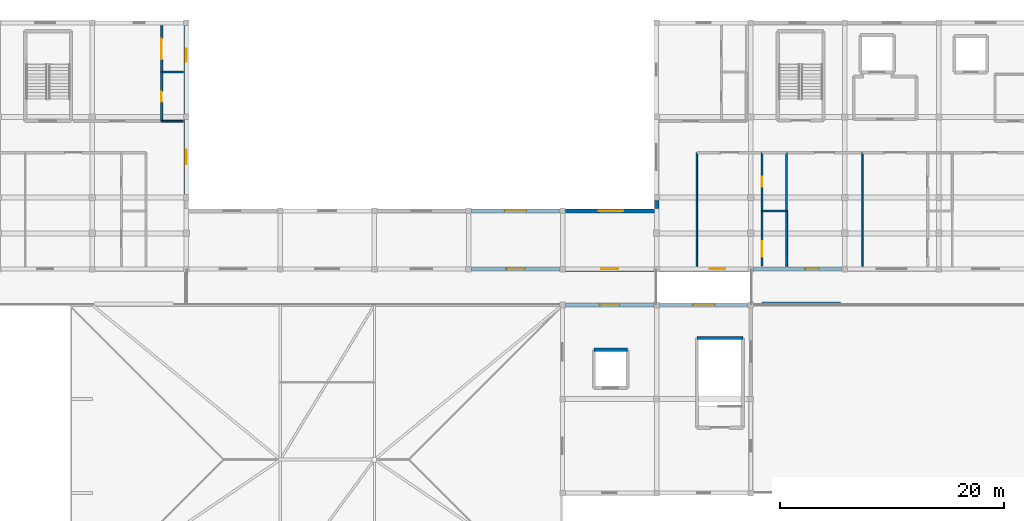
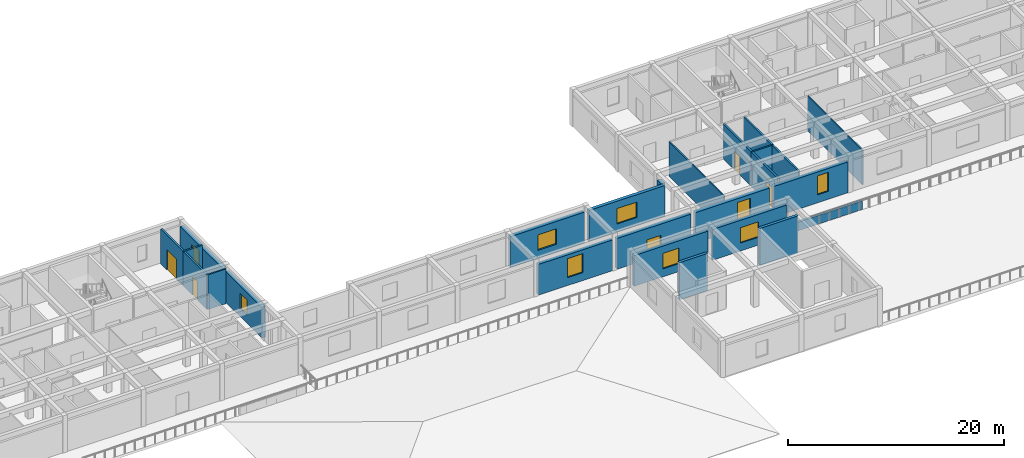
# One storey, part 13 of 28: 25 walls, 9 windows, 5 doors, 14 openings.
"""IFC4 building model written with IfcOpenShell, lengths in metres."""

from ifc_helpers import new_model, si_unit, direction, frame, frame_2d, origin, place, context, subcontext, project, spatial, rectangle, extrude, material, layer, layer_set, type_object, element, fill, save


model = new_model("IFC4")

# Units and contexts
model_context = context("Model", 3, precision=1e-05, world=origin(), true_north=direction((0.0, 1.0)))
body_context = subcontext(model_context, "Body", "Model", "MODEL_VIEW")
ifc_project = project(units=[si_unit("LENGTHUNIT", "METRE"), si_unit("AREAUNIT", "SQUARE_METRE"), si_unit("VOLUMEUNIT", "CUBIC_METRE"), si_unit("PLANEANGLEUNIT", "RADIAN"), si_unit("MASSUNIT", "GRAM", prefix="KILO")], contexts=[model_context])

# Site, building, storey
site_placement = place(None, origin())
site = spatial("IfcSite", under=ifc_project, at=site_placement, CompositionType="ELEMENT")
building_placement = place(site_placement, origin())
building = spatial("IfcBuilding", under=site, at=building_placement, Name="Varncliffe General Hospital", CompositionType="ELEMENT")
storey_placement = place(building_placement, frame((0.0, 0.0, 24.60009765625)))
storey = spatial("IfcBuildingStorey", under=building, at=storey_placement, Name="L05", CompositionType="ELEMENT", Elevation=24.60009765625)

# Wall, opening, window
ifc_material_1 = material(Name="Precast concrete C40/50 with insulated cream lime-cement stucco", Category="concrete")
ifc_layer_1 = layer(ifc_material_1, 0.31005859375)
ifc_layer_set_1 = layer_set([ifc_layer_1], Name="Precast concrete C40/50 with insulated cream lime-cement stucco")
wall_type_1 = type_object("IfcWallType", Name="Exterior Insulated Stucco Wall EW20 (310mm)", PredefinedType="SOLIDWALL", material=ifc_layer_set_1)
wall_1_placement = place(storey_placement, frame((109.447998046875, 99.60009765625, 0.0), z_axis=(0.0, 0.0, 1.0), x_axis=(1.0, 0.0, 0.0)))
wall_1 = element("IfcWall", 1, at=wall_1_placement, inside=storey, type_object=wall_type_1, Name="L05 Exterior Stucco Wall EW20-480", PredefinedType="SOLIDWALL", context=body_context, shape_type="SweptSolid", body=[
    extrude(rectangle(XDim=7.904052734375, YDim=0.31005859375, at=frame_2d((3.9521484375, 0.0))), origin(), (0.0, 0.0, 1.0), 3.47998046875),
])
opening_1_placement = place(wall_1_placement, frame((2.97705078125, 0.0, 0.89990234375)))
opening_1 = element("IfcOpeningElement", 2, at=opening_1_placement, cuts=wall_1, Name="Opening WN71", PredefinedType="OPENING", context=body_context, shape_type="SweptSolid", body=[
    extrude(rectangle(XDim=1.949951171875, YDim=1.75, at=frame_2d((0.97509765625, 0.875))), frame((0.0, 0.1650390625, 0.0), z_axis=(0.0, -1.0, 0.0), x_axis=(1.0, 0.0, 0.0)), (0.0, 0.0, 1.0), 0.330078125),
])
ifc_material_2 = material(Name="Triple low-E argon insulated vision glazing", Category="glass")
window_type_1 = type_object("IfcWindowType", Name="Triple-Glazed Hospital Window WN71 (1950x1750)", PartitioningType="DOUBLE_PANEL_VERTICAL", PredefinedType="WINDOW", material=ifc_material_2)
window_1_placement = place(opening_1_placement, origin())
window_1 = element("IfcWindow", 3, at=window_1_placement, inside=storey, type_object=window_type_1, Name="L05 Hospital Window WN71-373", OverallHeight=1.75, OverallWidth=1.949951171875, PartitioningType="DOUBLE_PANEL_VERTICAL", PredefinedType="WINDOW", context=body_context, shape_type="SweptSolid", body=[
    extrude(rectangle(XDim=1.949951171875, YDim=1.75, at=frame_2d((0.97509765625, 0.875))), frame((0.0, 0.030029296875, 0.0), z_axis=(0.0, -1.0, 0.0), x_axis=(1.0, 0.0, 0.0)), (0.0, 0.0, 1.0), 0.06005859375),
])
fill(opening_1, window_1)

# Wall, opening, door
ifc_layer_2 = layer(ifc_material_1, 0.3798828125)
ifc_layer_set_2 = layer_set([ifc_layer_2], Name="Precast concrete C40/50 with insulated cream lime-cement stucco")
wall_type_2 = type_object("IfcWallType", Name="Exterior Insulated Stucco Wall EW26 (380mm)", PredefinedType="SOLIDWALL", material=ifc_layer_set_2)
wall_2_placement = place(storey_placement, frame((108.951904296875, 102.800048828125, 0.0), z_axis=(0.0, 0.0, 1.0), x_axis=(-1.0, 0.0, 0.0)))
wall_2 = element("IfcWall", 4, at=wall_2_placement, inside=storey, type_object=wall_type_2, Name="L05 Exterior Stucco Wall EW26-397", PredefinedType="SOLIDWALL", context=body_context, shape_type="SweptSolid", body=[
    extrude(rectangle(XDim=7.90380859375, YDim=0.3798828125, at=frame_2d((3.951904296875, 0.0))), origin(), (0.0, 0.0, 1.0), 3.47998046875),
])
opening_2_placement = place(wall_2_placement, frame((3.201904296875, 0.0, 0.0)))
opening_2 = element("IfcOpeningElement", 5, at=opening_2_placement, cuts=wall_2, Name="Opening DE33", PredefinedType="OPENING", context=body_context, shape_type="SweptSolid", body=[
    extrude(rectangle(XDim=1.5, YDim=2.199951171875, at=frame_2d((0.75, 1.10009765625))), frame((0.0, 0.199951171875, 0.0), z_axis=(0.0, -1.0, 0.0), x_axis=(1.0, 0.0, 0.0)), (0.0, 0.0, 1.0), 0.39990234375),
])
ifc_material_3 = material(Name="Thermally broken bronze-anodized aluminium and safety glass door", Category="aluminium")
door_type_1 = type_object("IfcDoorType", Name="Exterior Pedestrian Door DE33 (1500x2200)", OperationType="NOTDEFINED", PredefinedType="DOOR", material=ifc_material_3)
door_1_placement = place(opening_2_placement, origin())
door_1 = element("IfcDoor", 6, at=door_1_placement, inside=storey, type_object=door_type_1, Name="L05 Healing Terrace Access Door 39", OperationType="SINGLE_SWING_RIGHT", OverallHeight=2.199951171875, OverallWidth=1.5, PredefinedType="DOOR", context=body_context, shape_type="SweptSolid", body=[
    extrude(rectangle(XDim=1.5, YDim=2.199951171875, at=frame_2d((0.75, 1.10009765625))), frame((0.0, 0.02490234375, 0.0), z_axis=(0.0, -1.0, 0.0), x_axis=(1.0, 0.0, 0.0)), (0.0, 0.0, 1.0), 0.050048828125),
])
fill(opening_2, door_1)

# Wall, opening, window
wall_3_placement = place(storey_placement, frame((67.199951171875, 116.152099609375, 0.0), z_axis=(0.0, 0.0, 1.0), x_axis=(0.0, -1.0, 0.0)))
wall_3 = element("IfcWall", 7, at=wall_3_placement, inside=storey, type_object=wall_type_2, Name="L05 Exterior Stucco Wall EW26-429", PredefinedType="SOLIDWALL", context=body_context, shape_type="SweptSolid", body=[
    extrude(rectangle(XDim=6.7041015625, YDim=0.3798828125, at=frame_2d((3.35205078125, 0.0))), origin(), (0.0, 0.0, 1.0), 3.47998046875),
])
opening_3_placement = place(wall_3_placement, frame((2.701904296875, 0.0, 0.89990234375)))
opening_3 = element("IfcOpeningElement", 8, at=opening_3_placement, cuts=wall_3, Name="Opening WN40", PredefinedType="OPENING", context=body_context, shape_type="SweptSolid", body=[
    extrude(rectangle(XDim=1.300048828125, YDim=1.75, at=frame_2d((0.64990234375, 0.875))), frame((0.0, 0.199951171875, 0.0), z_axis=(0.0, -1.0, 0.0), x_axis=(1.0, 0.0, 0.0)), (0.0, 0.0, 1.0), 0.39990234375),
])
window_type_2 = type_object("IfcWindowType", Name="Triple-Glazed Hospital Window WN40 (1300x1750)", PartitioningType="SINGLE_PANEL", PredefinedType="WINDOW", material=ifc_material_2)
window_2_placement = place(opening_3_placement, origin())
window_2 = element("IfcWindow", 9, at=window_2_placement, inside=storey, type_object=window_type_2, Name="L05 Hospital Window WN40-325", OverallHeight=1.75, OverallWidth=1.300048828125, PartitioningType="SINGLE_PANEL", PredefinedType="WINDOW", context=body_context, shape_type="SweptSolid", body=[
    extrude(rectangle(XDim=1.300048828125, YDim=1.75, at=frame_2d((0.64990234375, 0.875))), frame((0.0, 0.030029296875, 0.0), z_axis=(0.0, -1.0, 0.0), x_axis=(1.0, 0.0, 0.0)), (0.0, 0.0, 1.0), 0.06005859375),
])
fill(opening_3, window_2)

wall_4_placement = place(storey_placement, frame((92.64794921875, 108.0, 0.0), z_axis=(0.0, 0.0, 1.0), x_axis=(1.0, 0.0, 0.0)))
wall_4 = element("IfcWall", 10, at=wall_4_placement, inside=storey, type_object=wall_type_2, Name="L05 Exterior Stucco Wall EW26-434", PredefinedType="SOLIDWALL", context=body_context, shape_type="SweptSolid", body=[
    extrude(rectangle(XDim=7.904052734375, YDim=0.3798828125, at=frame_2d((3.9521484375, 0.0))), origin(), (0.0, 0.0, 1.0), 3.47998046875),
])
opening_4_placement = place(wall_4_placement, frame((2.97705078125, 0.0, 0.89990234375)))
opening_4 = element("IfcOpeningElement", 11, at=opening_4_placement, cuts=wall_4, Name="Opening WN71", PredefinedType="OPENING", context=body_context, shape_type="SweptSolid", body=[
    extrude(rectangle(XDim=1.949951171875, YDim=1.75, at=frame_2d((0.97509765625, 0.875))), frame((0.0, 0.199951171875, 0.0), z_axis=(0.0, -1.0, 0.0), x_axis=(1.0, 0.0, 0.0)), (0.0, 0.0, 1.0), 0.39990234375),
])
window_3_placement = place(opening_4_placement, origin())
window_3 = element("IfcWindow", 12, at=window_3_placement, inside=storey, type_object=window_type_1, Name="L05 Hospital Window WN71-329", OverallHeight=1.75, OverallWidth=1.949951171875, PartitioningType="DOUBLE_PANEL_VERTICAL", PredefinedType="WINDOW", context=body_context, shape_type="SweptSolid", body=[
    extrude(rectangle(XDim=1.949951171875, YDim=1.75, at=frame_2d((0.97509765625, 0.875))), frame((0.0, 0.030029296875, 0.0), z_axis=(0.0, -1.0, 0.0), x_axis=(1.0, 0.0, 0.0)), (0.0, 0.0, 1.0), 0.06005859375),
])
fill(opening_4, window_3)

ifc_layer_3 = layer(ifc_material_1, 0.330078125)
ifc_layer_set_3 = layer_set([ifc_layer_3], Name="Precast concrete C40/50 with insulated cream lime-cement stucco")
wall_type_3 = type_object("IfcWallType", Name="Exterior Insulated Stucco Wall EW33 (330mm)", PredefinedType="SOLIDWALL", material=ifc_layer_set_3)
wall_5_placement = place(storey_placement, frame((101.048095703125, 99.60009765625, 0.0), z_axis=(0.0, 0.0, 1.0), x_axis=(1.0, 0.0, 0.0)))
wall_5 = element("IfcWall", 13, at=wall_5_placement, inside=storey, type_object=wall_type_3, Name="L05 Exterior Stucco Wall EW33-479", PredefinedType="SOLIDWALL", context=body_context, shape_type="SweptSolid", body=[
    extrude(rectangle(XDim=7.90380859375, YDim=0.330078125, at=frame_2d((3.951904296875, 0.0))), origin(), (0.0, 0.0, 1.0), 3.47998046875),
])
opening_5_placement = place(wall_5_placement, frame((3.076904296875, 0.0, 0.89990234375)))
opening_5 = element("IfcOpeningElement", 14, at=opening_5_placement, cuts=wall_5, Name="Opening WN82", PredefinedType="OPENING", context=body_context, shape_type="SweptSolid", body=[
    extrude(rectangle(XDim=1.75, YDim=1.75, at=frame_2d((0.875, 0.875))), frame((0.0, 0.175048828125, 0.0), z_axis=(0.0, -1.0, 0.0), x_axis=(1.0, 0.0, 0.0)), (0.0, 0.0, 1.0), 0.35009765625),
])
window_type_3 = type_object("IfcWindowType", Name="Triple-Glazed Hospital Window WN82 (1750x1750)", PartitioningType="DOUBLE_PANEL_VERTICAL", PredefinedType="WINDOW", material=ifc_material_2)
window_4_placement = place(opening_5_placement, origin())
window_4 = element("IfcWindow", 15, at=window_4_placement, inside=storey, type_object=window_type_3, Name="L05 Hospital Window WN82-372", OverallHeight=1.75, OverallWidth=1.75, PartitioningType="DOUBLE_PANEL_VERTICAL", PredefinedType="WINDOW", context=body_context, shape_type="SweptSolid", body=[
    extrude(rectangle(XDim=1.75, YDim=1.75, at=frame_2d((0.875, 0.875))), frame((0.0, 0.030029296875, 0.0), z_axis=(0.0, -1.0, 0.0), x_axis=(1.0, 0.0, 0.0)), (0.0, 0.0, 1.0), 0.06005859375),
])
fill(opening_5, window_4)

ifc_layer_4 = layer(ifc_material_1, 0.35009765625)
ifc_layer_set_4 = layer_set([ifc_layer_4], Name="Precast concrete C40/50 with insulated cream lime-cement stucco")
wall_type_4 = type_object("IfcWallType", Name="Exterior Insulated Stucco Wall EW37 (350mm)", PredefinedType="SOLIDWALL", material=ifc_layer_set_4)
wall_6_placement = place(storey_placement, frame((125.751953125, 102.800048828125, 0.0), z_axis=(0.0, 0.0, 1.0), x_axis=(-1.0, 0.0, 0.0)))
wall_6 = element("IfcWall", 16, at=wall_6_placement, inside=storey, type_object=wall_type_4, Name="L05 Exterior Stucco Wall EW37-395", PredefinedType="SOLIDWALL", context=body_context, shape_type="SweptSolid", body=[
    extrude(rectangle(XDim=7.904052734375, YDim=0.35009765625, at=frame_2d((3.9521484375, 0.0))), origin(), (0.0, 0.0, 1.0), 3.47998046875),
])
opening_6_placement = place(wall_6_placement, frame((2.0751953125, 0.0, 0.89990234375)))
opening_6 = element("IfcOpeningElement", 17, at=opening_6_placement, cuts=wall_6, Name="Opening WN36", PredefinedType="OPENING", context=body_context, shape_type="SweptSolid", body=[
    extrude(rectangle(XDim=1.199951171875, YDim=2.14990234375, at=frame_2d((0.60009765625, 1.074951171875))), frame((0.0, 0.18505859375, 0.0), z_axis=(0.0, -1.0, 0.0), x_axis=(1.0, 0.0, 0.0)), (0.0, 0.0, 1.0), 0.3701171875),
])
window_type_4 = type_object("IfcWindowType", Name="Triple-Glazed Hospital Window WN36 (1200x2150)", PartitioningType="SINGLE_PANEL", PredefinedType="WINDOW", material=ifc_material_2)
window_5_placement = place(opening_6_placement, origin())
window_5 = element("IfcWindow", 18, at=window_5_placement, inside=storey, type_object=window_type_4, Name="L05 Hospital Window WN36-297", OverallHeight=2.14990234375, OverallWidth=1.199951171875, PartitioningType="SINGLE_PANEL", PredefinedType="WINDOW", context=body_context, shape_type="SweptSolid", body=[
    extrude(rectangle(XDim=1.199951171875, YDim=2.14990234375, at=frame_2d((0.60009765625, 1.074951171875))), frame((0.0, 0.030029296875, 0.0), z_axis=(0.0, -1.0, 0.0), x_axis=(1.0, 0.0, 0.0)), (0.0, 0.0, 1.0), 0.06005859375),
])
fill(opening_6, window_5)

wall_7_placement = place(storey_placement, frame((100.552001953125, 102.800048828125, 0.0), z_axis=(0.0, 0.0, 1.0), x_axis=(-1.0, 0.0, 0.0)))
wall_7 = element("IfcWall", 19, at=wall_7_placement, inside=storey, type_object=wall_type_4, Name="L05 Exterior Stucco Wall EW37-398", PredefinedType="SOLIDWALL", context=body_context, shape_type="SweptSolid", body=[
    extrude(rectangle(XDim=7.904052734375, YDim=0.35009765625, at=frame_2d((3.9521484375, 0.0))), origin(), (0.0, 0.0, 1.0), 3.47998046875),
])
opening_7_placement = place(wall_7_placement, frame((3.126953125, 0.0, 0.89990234375)))
opening_7 = element("IfcOpeningElement", 20, at=opening_7_placement, cuts=wall_7, Name="Opening WN42", PredefinedType="OPENING", context=body_context, shape_type="SweptSolid", body=[
    extrude(rectangle(XDim=1.64990234375, YDim=2.14990234375, at=frame_2d((0.824951171875, 1.074951171875))), frame((0.0, 0.18505859375, 0.0), z_axis=(0.0, -1.0, 0.0), x_axis=(1.0, 0.0, 0.0)), (0.0, 0.0, 1.0), 0.3701171875),
])
window_type_5 = type_object("IfcWindowType", Name="Triple-Glazed Hospital Window WN42 (1650x2150)", PartitioningType="DOUBLE_PANEL_VERTICAL", PredefinedType="WINDOW", material=ifc_material_2)
window_6_placement = place(opening_7_placement, origin())
window_6 = element("IfcWindow", 21, at=window_6_placement, inside=storey, type_object=window_type_5, Name="L05 Hospital Window WN42-299", OverallHeight=2.14990234375, OverallWidth=1.64990234375, PartitioningType="DOUBLE_PANEL_VERTICAL", PredefinedType="WINDOW", context=body_context, shape_type="SweptSolid", body=[
    extrude(rectangle(XDim=1.64990234375, YDim=2.14990234375, at=frame_2d((0.824951171875, 1.074951171875))), frame((0.0, 0.030029296875, 0.0), z_axis=(0.0, -1.0, 0.0), x_axis=(1.0, 0.0, 0.0)), (0.0, 0.0, 1.0), 0.06005859375),
])
fill(opening_7, window_6)

wall_8_placement = place(storey_placement, frame((101.048095703125, 108.0, 0.0), z_axis=(0.0, 0.0, 1.0), x_axis=(1.0, 0.0, 0.0)))
wall_8 = element("IfcWall", 22, at=wall_8_placement, inside=storey, type_object=wall_type_4, Name="L05 Exterior Stucco Wall EW37-435", PredefinedType="SOLIDWALL", context=body_context, shape_type="SweptSolid", body=[
    extrude(rectangle(XDim=8.15185546875, YDim=0.35009765625, at=frame_2d((4.075927734375, 0.0))), origin(), (0.0, 0.0, 1.0), 3.47998046875),
])
opening_8_placement = place(wall_8_placement, frame((3.0009765625, 0.0, 0.89990234375)))
opening_8 = element("IfcOpeningElement", 23, at=opening_8_placement, cuts=wall_8, Name="Opening WN63", PredefinedType="OPENING", context=body_context, shape_type="SweptSolid", body=[
    extrude(rectangle(XDim=2.14990234375, YDim=1.75, at=frame_2d((1.074951171875, 0.875))), frame((0.0, 0.18505859375, 0.0), z_axis=(0.0, -1.0, 0.0), x_axis=(1.0, 0.0, 0.0)), (0.0, 0.0, 1.0), 0.3701171875),
])
window_type_6 = type_object("IfcWindowType", Name="Triple-Glazed Hospital Window WN63 (2150x1750)", PartitioningType="DOUBLE_PANEL_VERTICAL", PredefinedType="WINDOW", material=ifc_material_2)
window_7_placement = place(opening_8_placement, origin())
window_7 = element("IfcWindow", 24, at=window_7_placement, inside=storey, type_object=window_type_6, Name="L05 Hospital Window WN63-330", OverallHeight=1.75, OverallWidth=2.14990234375, PartitioningType="DOUBLE_PANEL_VERTICAL", PredefinedType="WINDOW", context=body_context, shape_type="SweptSolid", body=[
    extrude(rectangle(XDim=2.14990234375, YDim=1.75, at=frame_2d((1.074951171875, 0.875))), frame((0.0, 0.030029296875, 0.0), z_axis=(0.0, -1.0, 0.0), x_axis=(1.0, 0.0, 0.0)), (0.0, 0.0, 1.0), 0.06005859375),
])
fill(opening_8, window_7)

ifc_layer_5 = layer(ifc_material_1, 0.39990234375)
ifc_layer_set_5 = layer_set([ifc_layer_5], Name="Precast concrete C40/50 with insulated cream lime-cement stucco")
wall_type_5 = type_object("IfcWallType", Name="Exterior Insulated Stucco Wall EW47 (400mm)", PredefinedType="SOLIDWALL", material=ifc_layer_set_5)
wall_9_placement = place(storey_placement, frame((117.35205078125, 102.800048828125, 0.0), z_axis=(0.0, 0.0, 1.0), x_axis=(-1.0, 0.0, 0.0)))
wall_9 = element("IfcWall", 25, at=wall_9_placement, inside=storey, type_object=wall_type_5, Name="L05 Exterior Stucco Wall EW47-396", PredefinedType="SOLIDWALL", context=body_context, shape_type="SweptSolid", body=[
    extrude(rectangle(XDim=7.904052734375, YDim=0.39990234375, at=frame_2d((3.9521484375, 0.0))), origin(), (0.0, 0.0, 1.0), 3.47998046875),
])
opening_9_placement = place(wall_9_placement, frame((2.01904296875, 0.0, 0.89990234375)))
opening_9 = element("IfcOpeningElement", 26, at=opening_9_placement, cuts=wall_9, Name="Opening WN11", PredefinedType="OPENING", context=body_context, shape_type="SweptSolid", body=[
    extrude(rectangle(XDim=1.39990234375, YDim=2.14990234375, at=frame_2d((0.699951171875, 1.074951171875))), frame((0.0, 0.2099609375, 0.0), z_axis=(0.0, -1.0, 0.0), x_axis=(1.0, 0.0, 0.0)), (0.0, 0.0, 1.0), 0.419921875),
])
window_type_7 = type_object("IfcWindowType", Name="Triple-Glazed Hospital Window WN11 (1400x2150)", PartitioningType="SINGLE_PANEL", PredefinedType="WINDOW", material=ifc_material_2)
window_8_placement = place(opening_9_placement, origin())
window_8 = element("IfcWindow", 27, at=window_8_placement, inside=storey, type_object=window_type_7, Name="L05 Hospital Window WN11-298", OverallHeight=2.14990234375, OverallWidth=1.39990234375, PartitioningType="SINGLE_PANEL", PredefinedType="WINDOW", context=body_context, shape_type="SweptSolid", body=[
    extrude(rectangle(XDim=1.39990234375, YDim=2.14990234375, at=frame_2d((0.699951171875, 1.074951171875))), frame((0.0, 0.030029296875, 0.0), z_axis=(0.0, -1.0, 0.0), x_axis=(1.0, 0.0, 0.0)), (0.0, 0.0, 1.0), 0.06005859375),
])
fill(opening_9, window_8)

wall_10_placement = place(storey_placement, frame((67.199951171875, 124.552001953125, 0.0), z_axis=(0.0, 0.0, 1.0), x_axis=(0.0, -1.0, 0.0)))
wall_10 = element("IfcWall", 28, at=wall_10_placement, inside=storey, type_object=wall_type_5, Name="L05 Exterior Stucco Wall EW47-428", PredefinedType="SOLIDWALL", context=body_context, shape_type="SweptSolid", body=[
    extrude(rectangle(XDim=7.904052734375, YDim=0.39990234375, at=frame_2d((3.9521484375, 0.0))), origin(), (0.0, 0.0, 1.0), 3.47998046875),
])
opening_10_placement = place(wall_10_placement, frame((2.089111328125, 0.0, 0.89990234375)))
opening_10 = element("IfcOpeningElement", 29, at=opening_10_placement, cuts=wall_10, Name="Opening WN60", PredefinedType="OPENING", context=body_context, shape_type="SweptSolid", body=[
    extrude(rectangle(XDim=1.14990234375, YDim=1.75, at=frame_2d((0.574951171875, 0.875))), frame((0.0, 0.2099609375, 0.0), z_axis=(0.0, -1.0, 0.0), x_axis=(1.0, 0.0, 0.0)), (0.0, 0.0, 1.0), 0.419921875),
])
window_type_8 = type_object("IfcWindowType", Name="Triple-Glazed Hospital Window WN60 (1150x1750)", PartitioningType="SINGLE_PANEL", PredefinedType="WINDOW", material=ifc_material_2)
window_9_placement = place(opening_10_placement, origin())
window_9 = element("IfcWindow", 30, at=window_9_placement, inside=storey, type_object=window_type_8, Name="L05 Hospital Window WN60-324", OverallHeight=1.75, OverallWidth=1.14990234375, PartitioningType="SINGLE_PANEL", PredefinedType="WINDOW", context=body_context, shape_type="SweptSolid", body=[
    extrude(rectangle(XDim=1.14990234375, YDim=1.75, at=frame_2d((0.574951171875, 0.875))), frame((0.0, 0.030029296875, 0.0), z_axis=(0.0, -1.0, 0.0), x_axis=(1.0, 0.0, 0.0)), (0.0, 0.0, 1.0), 0.06005859375),
])
fill(opening_10, window_9)

# Walls
wall_11_placement = place(storey_placement, frame((109.199951171875, 108.195068359375, 0.0), z_axis=(0.0, 0.0, 1.0), x_axis=(0.0, 1.0, 0.0)))
element("IfcWall", 31, at=wall_11_placement, inside=storey, type_object=wall_type_5, Name="L05 Exterior Stucco Wall EW47-436", PredefinedType="SOLIDWALL", context=body_context, shape_type="SweptSolid", body=[
    extrude(rectangle(XDim=0.7568359375, YDim=0.39990234375, at=frame_2d((0.37841796875, 0.0))), origin(), (0.0, 0.0, 1.0), 3.47998046875),
])
ifc_material_4 = material(Name="Acoustic clinical gypsum stud partition assembly", Category="gypsum")
ifc_layer_6 = layer(ifc_material_4, 0.1298828125)
ifc_layer_set_6 = layer_set([ifc_layer_6], Name="Acoustic clinical gypsum stud partition assembly")
wall_type_6 = type_object("IfcWallType", Name="Interior Partitioning IW11 (130mm)", PredefinedType="PARTITIONING", material=ifc_layer_set_6)
for number, where, z_axis, x_axis, name in (
    (32, (112.800048828125, 103.06005859375, 0.0), (0.0, 0.0, 1.0), (0.0, 1.0, 0.0), "L05 Interior Partition Wall IW11-2138"),
    (33, (127.60009765625, 103.06005859375, 0.0), (0.0, 0.0, 1.0), (0.0, 1.0, 0.0), "L05 Interior Partition Wall IW11-2148"),
):
    element("IfcWall", number, at=place(storey_placement, frame(where, z_axis=z_axis, x_axis=x_axis)), inside=storey, type_object=wall_type_6, Name=name, PredefinedType="PARTITIONING", context=body_context, shape_type="SweptSolid", body=[
        extrude(rectangle(XDim=10.139892578125, YDim=0.1298828125, at=frame_2d((5.06982421875, 0.0))), origin(), (0.0, 0.0, 1.0), 3.919921875),
    ])
ifc_layer_7 = layer(ifc_material_4, 0.169921875)
ifc_layer_set_7 = layer_set([ifc_layer_7], Name="Acoustic clinical gypsum stud partition assembly")
wall_type_7 = type_object("IfcWallType", Name="Interior Partitioning IW20 (170mm)", PredefinedType="PARTITIONING", material=ifc_layer_set_7)
wall_12_placement = place(storey_placement, frame((120.800048828125, 103.06005859375, 0.0), z_axis=(0.0, 0.0, 1.0), x_axis=(0.0, 1.0, 0.0)))
element("IfcWall", 34, at=wall_12_placement, inside=storey, type_object=wall_type_7, Name="L05 Interior Partition Wall IW20-2145", PredefinedType="PARTITIONING", context=body_context, shape_type="SweptSolid", body=[
    extrude(rectangle(XDim=4.93994140625, YDim=0.169921875, at=frame_2d((2.469970703125, 0.0))), origin(), (0.0, 0.0, 1.0), 3.919921875),
])

# Wall, opening, door
ifc_material_5 = material(Name="Fire-rated gypsum and mineral-wool partition assembly", Category="gypsum")
ifc_layer_8 = layer(ifc_material_5, 0.199951171875)
ifc_layer_set_8 = layer_set([ifc_layer_8], Name="Fire-rated gypsum and mineral-wool partition assembly")
wall_type_8 = type_object("IfcWallType", Name="Interior Partitioning PW63 (200mm)", PredefinedType="PARTITIONING", material=ifc_layer_set_8)
wall_13_placement = place(storey_placement, frame((65.0, 116.0, 0.0), z_axis=(0.0, 0.0, 1.0), x_axis=(0.0, 1.0, 0.0)))
wall_13 = element("IfcWall", 35, at=wall_13_placement, inside=storey, type_object=wall_type_8, Name="L05 Interior Partition Wall PW63-2136", PredefinedType="PARTITIONING", context=body_context, shape_type="SweptSolid", body=[
    extrude(rectangle(XDim=4.39990234375, YDim=0.199951171875, at=frame_2d((2.199951171875, 0.0))), origin(), (0.0, 0.0, 1.0), 3.919921875),
])
opening_11_placement = place(wall_13_placement, frame((1.739990234375, 0.0, 0.0)))
opening_11 = element("IfcOpeningElement", 36, at=opening_11_placement, cuts=wall_13, Name="Opening DI70", PredefinedType="OPENING", context=body_context, shape_type="SweptSolid", body=[
    extrude(rectangle(XDim=0.919921875, YDim=2.10009765625, at=frame_2d((0.4599609375, 1.050048828125))), frame((0.0, 0.10986328125, 0.0), z_axis=(0.0, -1.0, 0.0), x_axis=(1.0, 0.0, 0.0)), (0.0, 0.0, 1.0), 0.219970703125),
])
ifc_material_6 = material(Name="Solid-core antimicrobial hospital oak veneer door", Category="wood")
door_type_2 = type_object("IfcDoorType", Name="Interior Hospital Door DI70 (920x2100)", OperationType="NOTDEFINED", PredefinedType="DOOR", material=ifc_material_6)
door_2_placement = place(opening_11_placement, frame((0.919921875, 0.0, 0.0), z_axis=(0.0, 0.0, 1.0), x_axis=(-1.0, 0.0, 0.0)))
door_2 = element("IfcDoor", 37, at=door_2_placement, inside=storey, type_object=door_type_2, Name="L05 En-Suite Bathroom 78 Door", OperationType="SINGLE_SWING_LEFT", OverallHeight=2.10009765625, OverallWidth=0.919921875, PredefinedType="DOOR", context=body_context, shape_type="SweptSolid", body=[
    extrude(rectangle(XDim=0.919921875, YDim=2.10009765625, at=frame_2d((0.4599609375, 1.050048828125))), frame((0.0, 0.02490234375, 0.0), z_axis=(0.0, -1.0, 0.0), x_axis=(1.0, 0.0, 0.0)), (0.0, 0.0, 1.0), 0.050048828125),
])
fill(opening_11, door_2)

wall_14_placement = place(storey_placement, frame((65.0, 120.39990234375, 0.0), z_axis=(0.0, 0.0, 1.0), x_axis=(0.0, 1.0, 0.0)))
wall_14 = element("IfcWall", 38, at=wall_14_placement, inside=storey, type_object=wall_type_8, Name="L05 Interior Partition Wall PW63-2137", PredefinedType="PARTITIONING", context=body_context, shape_type="SweptSolid", body=[
    extrude(rectangle(XDim=4.14013671875, YDim=0.199951171875, at=frame_2d((2.070068359375, 0.0))), origin(), (0.0, 0.0, 1.0), 3.919921875),
])
opening_12_placement = place(wall_14_placement, frame((1.14501953125, 0.0, 0.0)))
opening_12 = element("IfcOpeningElement", 39, at=opening_12_placement, cuts=wall_14, Name="Opening DC38", PredefinedType="OPENING", context=body_context, shape_type="SweptSolid", body=[
    extrude(rectangle(XDim=1.85009765625, YDim=2.300048828125, at=frame_2d((0.925048828125, 1.14990234375))), frame((0.0, 0.10986328125, 0.0), z_axis=(0.0, -1.0, 0.0), x_axis=(1.0, 0.0, 0.0)), (0.0, 0.0, 1.0), 0.219970703125),
])
ifc_material_7 = material(Name="Fire-rated hospital steel-frame vision-panel door", Category="steel")
door_type_3 = type_object("IfcDoorType", Name="Interior Hospital Door DC38 (1850x2300)", OperationType="NOTDEFINED", PredefinedType="DOOR", material=ifc_material_7)
door_3_placement = place(opening_12_placement, frame((1.85009765625, 0.0, 0.0), z_axis=(0.0, 0.0, 1.0), x_axis=(-1.0, 0.0, 0.0)))
door_3 = element("IfcDoor", 40, at=door_3_placement, inside=storey, type_object=door_type_3, Name="L05 Patient Medication and Hygiene Bay 79 Door", OperationType="SINGLE_SWING_RIGHT", OverallHeight=2.300048828125, OverallWidth=1.85009765625, PredefinedType="DOOR", context=body_context, shape_type="SweptSolid", body=[
    extrude(rectangle(XDim=1.85009765625, YDim=2.300048828125, at=frame_2d((0.925048828125, 1.14990234375))), frame((0.0, 0.02490234375, 0.0), z_axis=(0.0, -1.0, 0.0), x_axis=(1.0, 0.0, 0.0)), (0.0, 0.0, 1.0), 0.050048828125),
])
fill(opening_12, door_3)

wall_15_placement = place(storey_placement, frame((118.60009765625, 103.06005859375, 0.0), z_axis=(0.0, 0.0, 1.0), x_axis=(0.0, 1.0, 0.0)))
wall_15 = element("IfcWall", 41, at=wall_15_placement, inside=storey, type_object=wall_type_8, Name="L05 Interior Partition Wall PW63-2143", PredefinedType="PARTITIONING", context=body_context, shape_type="SweptSolid", body=[
    extrude(rectangle(XDim=4.93994140625, YDim=0.199951171875, at=frame_2d((2.469970703125, 0.0))), origin(), (0.0, 0.0, 1.0), 3.919921875),
])
opening_13_placement = place(wall_15_placement, frame((0.862060546875, 0.0, 0.0)))
opening_13 = element("IfcOpeningElement", 42, at=opening_13_placement, cuts=wall_15, Name="Opening DC85", PredefinedType="OPENING", context=body_context, shape_type="SweptSolid", body=[
    extrude(rectangle(XDim=1.35009765625, YDim=2.199951171875, at=frame_2d((0.675048828125, 1.10009765625))), frame((0.0, 0.10986328125, 0.0), z_axis=(0.0, -1.0, 0.0), x_axis=(1.0, 0.0, 0.0)), (0.0, 0.0, 1.0), 0.219970703125),
])
door_type_4 = type_object("IfcDoorType", Name="Interior Hospital Door DC85 (1350x2200)", OperationType="NOTDEFINED", PredefinedType="DOOR", material=ifc_material_7)
door_4_placement = place(opening_13_placement, frame((1.35009765625, 0.0, 0.0), z_axis=(0.0, 0.0, 1.0), x_axis=(-1.0, 0.0, 0.0)))
door_4 = element("IfcDoor", 43, at=door_4_placement, inside=storey, type_object=door_type_4, Name="L05 Patient Medication and Hygiene Bay 62 Door", OperationType="SINGLE_SWING_LEFT", OverallHeight=2.199951171875, OverallWidth=1.35009765625, PredefinedType="DOOR", context=body_context, shape_type="SweptSolid", body=[
    extrude(rectangle(XDim=1.35009765625, YDim=2.199951171875, at=frame_2d((0.675048828125, 1.10009765625))), frame((0.0, 0.02490234375, 0.0), z_axis=(0.0, -1.0, 0.0), x_axis=(1.0, 0.0, 0.0)), (0.0, 0.0, 1.0), 0.050048828125),
])
fill(opening_13, door_4)

wall_16_placement = place(storey_placement, frame((118.60009765625, 108.0, 0.0), z_axis=(0.0, 0.0, 1.0), x_axis=(0.0, 1.0, 0.0)))
wall_16 = element("IfcWall", 44, at=wall_16_placement, inside=storey, type_object=wall_type_8, Name="L05 Interior Partition Wall PW63-2144", PredefinedType="PARTITIONING", context=body_context, shape_type="SweptSolid", body=[
    extrude(rectangle(XDim=5.199951171875, YDim=0.199951171875, at=frame_2d((2.60009765625, 0.0))), origin(), (0.0, 0.0, 1.0), 3.919921875),
])
opening_14_placement = place(wall_16_placement, frame((2.139892578125, 0.0, 0.0)))
opening_14 = element("IfcOpeningElement", 45, at=opening_14_placement, cuts=wall_16, Name="Opening DI70", PredefinedType="OPENING", context=body_context, shape_type="SweptSolid", body=[
    extrude(rectangle(XDim=0.919921875, YDim=2.10009765625, at=frame_2d((0.4599609375, 1.050048828125))), frame((0.0, 0.10986328125, 0.0), z_axis=(0.0, -1.0, 0.0), x_axis=(1.0, 0.0, 0.0)), (0.0, 0.0, 1.0), 0.219970703125),
])
door_5_placement = place(opening_14_placement, frame((0.919921875, 0.0, 0.0), z_axis=(0.0, 0.0, 1.0), x_axis=(-1.0, 0.0, 0.0)))
door_5 = element("IfcDoor", 46, at=door_5_placement, inside=storey, type_object=door_type_2, Name="L05 En-Suite Bathroom 61 Door", OperationType="SINGLE_SWING_RIGHT", OverallHeight=2.10009765625, OverallWidth=0.919921875, PredefinedType="DOOR", context=body_context, shape_type="SweptSolid", body=[
    extrude(rectangle(XDim=0.919921875, YDim=2.10009765625, at=frame_2d((0.4599609375, 1.050048828125))), frame((0.0, 0.02490234375, 0.0), z_axis=(0.0, -1.0, 0.0), x_axis=(1.0, 0.0, 0.0)), (0.0, 0.0, 1.0), 0.050048828125),
])
fill(opening_14, door_5)

# Walls
ifc_material_8 = material(Name="Moisture-resistant plumbing chase wall assembly", Category="gypsum")
ifc_layer_9 = layer(ifc_material_8, 0.18994140625)
ifc_layer_set_9 = layer_set([ifc_layer_9], Name="Moisture-resistant plumbing chase wall assembly")
wall_type_9 = type_object("IfcWallType", Name="Interior Plumbingwall MW17 (190mm)", PredefinedType="PLUMBINGWALL", material=ifc_layer_set_9)
wall_17_placement = place(storey_placement, frame((65.0, 120.39990234375, 0.0), z_axis=(0.0, 0.0, 1.0), x_axis=(1.0, 0.0, 0.0)))
element("IfcWall", 47, at=wall_17_placement, inside=storey, type_object=wall_type_9, Name="L05 Interior Plumbing Wall MW17-2096", PredefinedType="PLUMBINGWALL", context=body_context, shape_type="SweptSolid", body=[
    extrude(rectangle(XDim=1.93994140625, YDim=0.18994140625, at=frame_2d((0.969970703125, 0.0))), origin(), (0.0, 0.0, 1.0), 3.919921875),
])
wall_18_placement = place(storey_placement, frame((120.800048828125, 108.0, 0.0), z_axis=(0.0, 0.0, 1.0), x_axis=(0.0, 1.0, 0.0)))
element("IfcWall", 48, at=wall_18_placement, inside=storey, type_object=wall_type_9, Name="L05 Interior Plumbing Wall MW17-2146", PredefinedType="PLUMBINGWALL", context=body_context, shape_type="SweptSolid", body=[
    extrude(rectangle(XDim=5.199951171875, YDim=0.18994140625, at=frame_2d((2.60009765625, 0.0))), origin(), (0.0, 0.0, 1.0), 3.919921875),
])
ifc_layer_10 = layer(ifc_material_8, 0.159912109375)
ifc_layer_set_10 = layer_set([ifc_layer_10], Name="Moisture-resistant plumbing chase wall assembly")
wall_type_10 = type_object("IfcWallType", Name="Interior Plumbingwall MW31 (160mm)", PredefinedType="PLUMBINGWALL", material=ifc_layer_set_10)
wall_19_placement = place(storey_placement, frame((118.60009765625, 108.0, 0.0), z_axis=(0.0, 0.0, 1.0), x_axis=(1.0, 0.0, 0.0)))
element("IfcWall", 49, at=wall_19_placement, inside=storey, type_object=wall_type_10, Name="L05 Interior Plumbing Wall MW31-2045", PredefinedType="PLUMBINGWALL", context=body_context, shape_type="SweptSolid", body=[
    extrude(rectangle(XDim=2.199951171875, YDim=0.159912109375, at=frame_2d((1.10009765625, 0.0))), origin(), (0.0, 0.0, 1.0), 3.919921875),
])
wall_20_placement = place(storey_placement, frame((65.0, 116.0, 0.0), z_axis=(0.0, 0.0, 1.0), x_axis=(1.0, 0.0, 0.0)))
element("IfcWall", 50, at=wall_20_placement, inside=storey, type_object=wall_type_10, Name="L05 Interior Plumbing Wall MW31-2075", PredefinedType="PLUMBINGWALL", context=body_context, shape_type="SweptSolid", body=[
    extrude(rectangle(XDim=1.93994140625, YDim=0.159912109375, at=frame_2d((0.969970703125, 0.0))), origin(), (0.0, 0.0, 1.0), 3.919921875),
])
ifc_material_9 = material(Name="Concrete C40/50 (CSA A23.1 40 MPa)", Category="concrete")
ifc_layer_11 = layer(ifc_material_9, 0.300048828125)
ifc_layer_set_11 = layer_set([ifc_layer_11], Name="Concrete C40/50 (CSA A23.1 40 MPa)")
wall_type_11 = type_object("IfcWallType", Name="Reinforced Concrete Core Shear Wall CW12 (300mm)", PredefinedType="SHEAR", material=ifc_layer_set_11)
wall_21_placement = place(storey_placement, frame((116.89990234375, 96.64990234375, 0.0), z_axis=(0.0, 0.0, 1.0), x_axis=(-1.0, 0.0, 0.0)))
element("IfcWall", 51, at=wall_21_placement, inside=storey, type_object=wall_type_11, Name="L05 ST06 Core Shear Wall F", PredefinedType="SHEAR", context=body_context, shape_type="SweptSolid", body=[
    extrude(rectangle(XDim=4.099853515625, YDim=0.300048828125, at=frame_2d((2.0498046875, 0.0))), origin(), (0.0, 0.0, 1.0), 4.199951171875),
])
wall_22_placement = place(storey_placement, frame((106.60009765625, 95.60009765625, 0.0), z_axis=(0.0, 0.0, 1.0), x_axis=(-1.0, 0.0, 0.0)))
element("IfcWall", 52, at=wall_22_placement, inside=storey, type_object=wall_type_11, Name="L05 LF07 Elevator Shaft Wall North", PredefinedType="SHEAR", context=body_context, shape_type="SweptSolid", body=[
    extrude(rectangle(XDim=3.0, YDim=0.300048828125, at=frame_2d((1.5, 0.0))), origin(), (0.0, 0.0, 1.0), 4.199951171875),
])
ifc_material_10 = material(Name="Precast concrete C40/50 parapet coping", Category="concrete")
ifc_layer_12 = layer(ifc_material_10, 0.27001953125)
ifc_layer_set_12 = layer_set([ifc_layer_12], Name="Precast concrete C40/50 parapet coping")
wall_type_12 = type_object("IfcWallType", Name="Terrace and Roof Parapet Wall PP48 (270mm)", PredefinedType="PARAPET", material=ifc_layer_set_12)
wall_23_placement = place(storey_placement, frame((118.60009765625, 99.75, 0.0), z_axis=(0.0, 0.0, 1.0), x_axis=(1.0, 0.0, 0.0)))
element("IfcWall", 53, at=wall_23_placement, inside=storey, type_object=wall_type_12, Name="L05 Masonry Parapet Coping Wall 3", PredefinedType="PARAPET", context=body_context, shape_type="SweptSolid", body=[
    extrude(rectangle(XDim=7.0, YDim=0.27001953125, at=frame_2d((3.5, 0.0))), origin(), (0.0, 0.0, 1.0), 0.949951171875),
])

save(model, "model.ifc")
